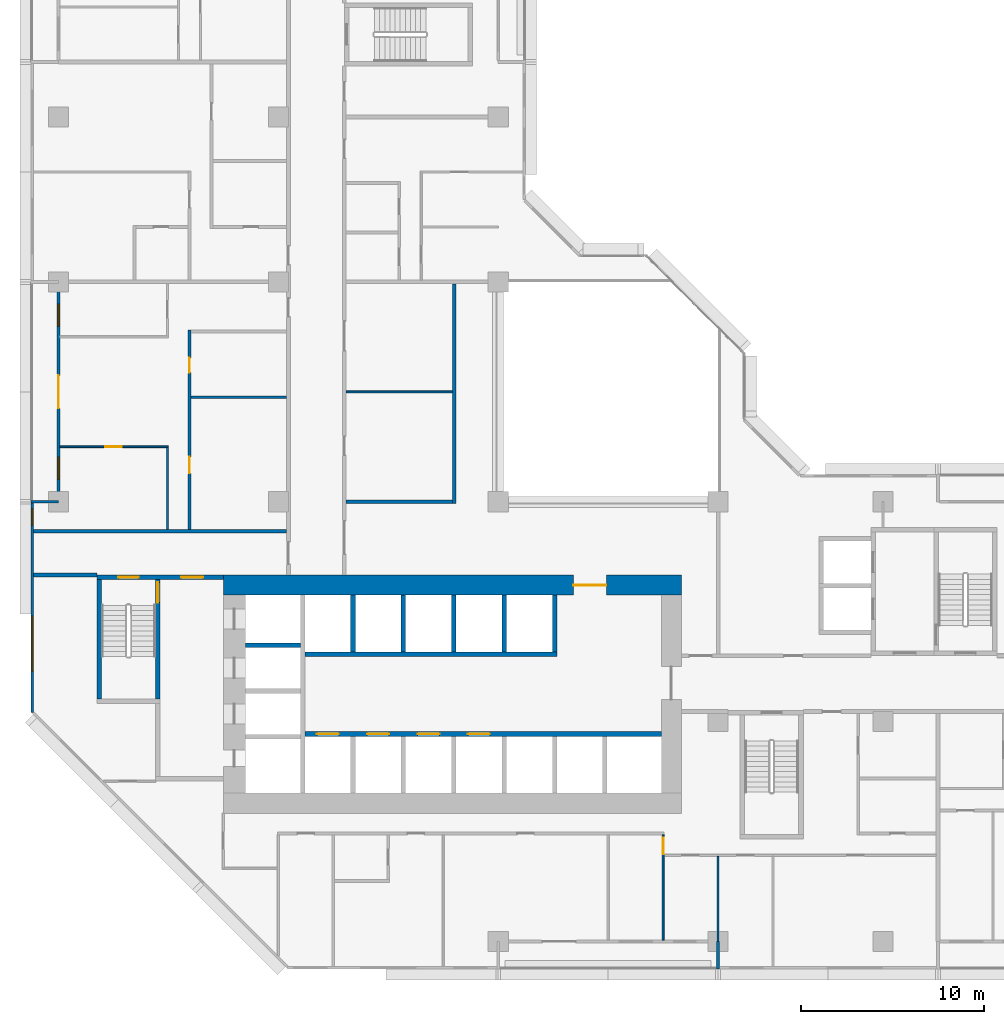
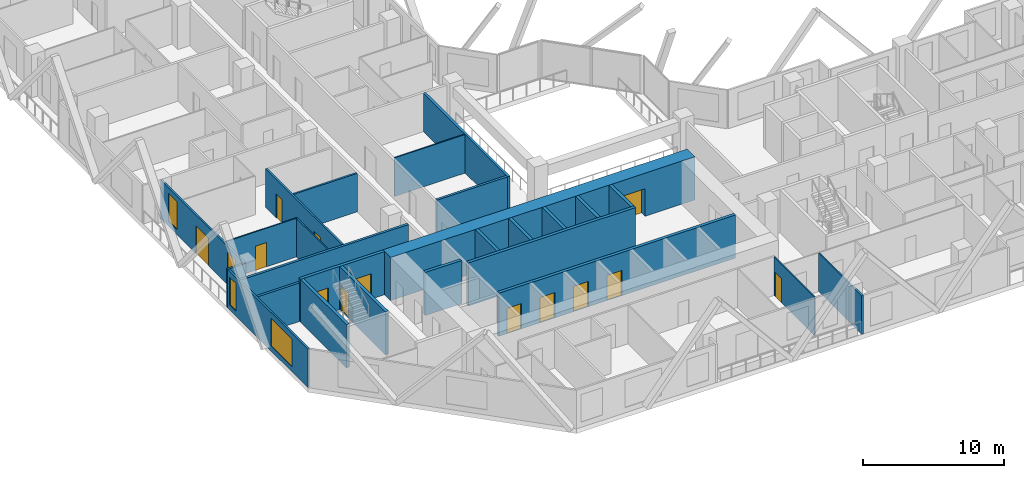
# One storey, part 5 of 16: 27 walls, 13 doors, 4 windows, 17 openings.
"""IFC4 building model written with IfcOpenShell, lengths in metres."""

import ifcopenshell
import ifcopenshell.guid

model = None  # the IFC model being written
_history = None  # IfcOwnerHistory: only IFC2X3 demands one
_inside = {}  # id of a spatial element -> (the spatial element, [elements in it])
_under = {}  # id of a project, library or spatial element -> (it, [spatial elements below it])
_declared = {}  # id of a project -> (the project, [libraries it declares])
_typed = {}  # id of a type object -> (the type object, [elements of that type])
_made_of = {}  # id of a material, layer set ... -> (it, [elements and type objects made of it])


def new_model(schema):
    """Start an empty IFC model of exactly this schema.

    Asked for "IFC4X3", IfcOpenShell would pick the latest addendum, in which some entities
    have other attributes; the version numbers below select the first issue.
    IFC2X3 requires an IfcOwnerHistory on every rooted entity: one is made here for all.
    """
    global model, _history
    if schema == "IFC4X3":
        model = ifcopenshell.file(schema_version=(4, 3, 0, 0))
    else:
        model = ifcopenshell.file(schema=schema)
    _inside.clear()
    _under.clear()
    _declared.clear()
    _typed.clear()
    _made_of.clear()
    _history = None
    if model.schema == "IFC2X3":
        org = make("IfcOrganization", Name="unknown")
        user = make(
            "IfcPersonAndOrganization",
            ThePerson=make("IfcPerson", FamilyName="unknown"),
            TheOrganization=org,
        )
        app = make(
            "IfcApplication",
            ApplicationDeveloper=org,
            Version="unknown",
            ApplicationFullName="unknown",
            ApplicationIdentifier="unknown",
        )
        _history = make(
            "IfcOwnerHistory",
            OwningUser=user,
            OwningApplication=app,
            ChangeAction="ADDED",
            CreationDate=0,
        )
    return model


def make(cls, **values):
    """One entity of the class cls with the attributes given. An attribute that is None is left unset."""
    return model.create_entity(
        cls, **{name: value for name, value in values.items() if value is not None}
    )


def rooted(cls, **values):
    """An entity with a GlobalId (a new one), such as an element, a storey or a relation."""
    return make(cls, GlobalId=ifcopenshell.guid.new(), OwnerHistory=_history, **values)


def si_unit(unit_type, name, prefix=None):
    """IfcSIUnit, for example si_unit("LENGTHUNIT", "METRE", prefix="MILLI")."""
    return make("IfcSIUnit", UnitType=unit_type, Prefix=prefix, Name=name)


def assignment(units):
    """IfcUnitAssignment: the units of a project."""
    return None if units is None else make("IfcUnitAssignment", Units=units)


def point(xyz):
    """IfcCartesianPoint."""
    return None if xyz is None else make("IfcCartesianPoint", Coordinates=xyz)


def direction(xyz):
    """IfcDirection."""
    return None if xyz is None else make("IfcDirection", DirectionRatios=xyz)


def frame(location, z_axis=None, x_axis=None):
    """IfcAxis2Placement3D, a coordinate frame: its origin and axes. An axis left out is left unset."""
    return make(
        "IfcAxis2Placement3D",
        Location=point(location),
        Axis=direction(z_axis),
        RefDirection=direction(x_axis),
    )


def frame_2d(location, x_axis=None):
    """IfcAxis2Placement2D, a coordinate frame in the plane: its origin and x axis."""
    return make(
        "IfcAxis2Placement2D", Location=point(location), RefDirection=direction(x_axis)
    )


def origin():
    """The frame at (0, 0, 0) with its axes left unset."""
    return frame((0.0, 0.0, 0.0))


def place(relative_to, where):
    """IfcLocalPlacement: puts the frame where relative to a parent placement (None: the world)."""
    return make(
        "IfcLocalPlacement", PlacementRelTo=relative_to, RelativePlacement=where
    )


def context(
    kind, dimensions, precision=None, world=None, true_north=None, identifier=None
):
    """IfcGeometricRepresentationContext, for example the 3D "Model" context."""
    return make(
        "IfcGeometricRepresentationContext",
        ContextIdentifier=identifier,
        ContextType=kind,
        CoordinateSpaceDimension=dimensions,
        Precision=precision,
        WorldCoordinateSystem=world,
        TrueNorth=true_north,
    )


def subcontext(parent, identifier, kind, view, scale=None):
    """IfcGeometricRepresentationSubContext, for example "Body" below "Model"."""
    return make(
        "IfcGeometricRepresentationSubContext",
        ContextIdentifier=identifier,
        ContextType=kind,
        ParentContext=parent,
        TargetScale=scale,
        TargetView=view,
    )


def project(units=None, contexts=None):
    """IfcProject with its units and contexts."""
    return rooted(
        "IfcProject",
        Name="project",
        RepresentationContexts=contexts,
        UnitsInContext=assignment(units),
    )


def spatial(cls, under=None, at=None, **own):
    """A site, building, storey or space (cls), placed at a placement, below another one or the project."""
    s = rooted(cls, ObjectPlacement=at, **own)
    if under is not None:
        _under.setdefault(under.id(), (under, []))[1].append(s)
    return s


def profile(cls, at=None, kind="AREA", **sizes):
    """A parametric profile (cls). Its sizes go by their IFC names, for example OverallWidth=200.0."""
    return make(cls, ProfileType=kind, Position=at, **sizes)


def rectangle(**sizes):
    """IfcRectangleProfileDef."""
    return profile("IfcRectangleProfileDef", **sizes)


def extrude(swept, where, along, depth):
    """IfcExtrudedAreaSolid: the profile swept, set in the frame where, extruded along a direction by depth."""
    return make(
        "IfcExtrudedAreaSolid",
        SweptArea=swept,
        Position=where,
        ExtrudedDirection=direction(along),
        Depth=depth,
    )


def shape(context_of_items, identifier, shape_type, items):
    """IfcShapeRepresentation: the items that make up one representation, for example the "Body"."""
    return make(
        "IfcShapeRepresentation",
        ContextOfItems=context_of_items,
        RepresentationIdentifier=identifier,
        RepresentationType=shape_type,
        Items=items,
    )


def material(Name=None, Category=None):
    """IfcMaterial."""
    return make("IfcMaterial", Name=Name, Category=Category)


def layer(
    of_material, thickness, ventilated=None, Name=None, Category=None, Priority=None
):
    """IfcMaterialLayer: one layer of a wall or slab, of a material (None: an air gap)."""
    return make(
        "IfcMaterialLayer",
        Material=of_material,
        LayerThickness=thickness,
        IsVentilated=ventilated,
        Name=Name,
        Category=Category,
        Priority=Priority,
    )


def layer_set(layers, Name=None):
    """IfcMaterialLayerSet."""
    return make("IfcMaterialLayerSet", MaterialLayers=layers, LayerSetName=Name)


def made_of(thing, what):
    """Note that an element or type object is made of a material, layer set ...; save() writes the relation."""
    if what is not None:
        _made_of.setdefault(what.id(), (what, []))[1].append(thing)
    return thing


def type_object(cls, material=None, **own):
    """A type object (cls), such as IfcWallType, which elements share."""
    return made_of(rooted(cls, **own), material)


def element(
    cls,
    number,
    at=None,
    inside=None,
    cuts=None,
    type_object=None,
    material=None,
    context=None,
    identifier="Body",
    shape_type=None,
    held_by="IfcProductDefinitionShape",
    body=None,
    shapes=None,
    **own,
):
    """One element of the class cls, such as IfcWall. Its Tag is "e" and its number.

    at: its placement. inside: the storey or other place that contains it. cuts: it is an
    opening in that element (IfcRelVoidsElement). A single representation is given by context,
    identifier, shape_type and body (its items); several are given by shapes. held_by: the class
    of the entity that holds the representations. save() writes the other relations.
    """
    e = rooted(cls, Tag="e%d" % number, ObjectPlacement=at, **own)
    if body is not None:
        shapes = [shape(context, identifier, shape_type, body)]
    if shapes is not None:
        e.Representation = make(held_by, Representations=shapes)
    if inside is not None:
        _inside.setdefault(inside.id(), (inside, []))[1].append(e)
    if cuts is not None:
        rooted(
            "IfcRelVoidsElement", RelatingBuildingElement=cuts, RelatedOpeningElement=e
        )
    if type_object is not None:
        _typed.setdefault(type_object.id(), (type_object, []))[1].append(e)
    return made_of(e, material)


def fill(opening, filler):
    """IfcRelFillsElement: the door or window that sits in an opening."""
    return rooted(
        "IfcRelFillsElement",
        RelatingOpeningElement=opening,
        RelatedBuildingElement=filler,
    )


def aggregate(whole, parts):
    """IfcRelAggregates: a whole, such as a stair, and the parts it consists of."""
    return rooted("IfcRelAggregates", RelatingObject=whole, RelatedObjects=parts)


def save(model, path):
    """Write the relations noted so far, then the file.

    IfcRelAggregates (storeys below a building ...), IfcRelContainedInSpatialStructure (elements
    in a storey), IfcRelDefinesByType, IfcRelAssociatesMaterial and IfcRelDeclares: one each for
    every whole, place, type object, material and project.
    """
    for whole, parts in _under.values():
        aggregate(whole, parts)
    for where, things in _inside.values():
        rooted(
            "IfcRelContainedInSpatialStructure",
            RelatedElements=things,
            RelatingStructure=where,
        )
    for kind, things in _typed.values():
        rooted("IfcRelDefinesByType", RelatedObjects=things, RelatingType=kind)
    for what, things in _made_of.values():
        rooted("IfcRelAssociatesMaterial", RelatedObjects=things, RelatingMaterial=what)
    for by, libraries in _declared.values():
        rooted("IfcRelDeclares", RelatingContext=by, RelatedDefinitions=libraries)
    model.write(path)


model = new_model("IFC4")

# Units and contexts
model_context = context("Model", 3, precision=1e-05, world=origin(), true_north=direction((0.0, 1.0)))
body_context = subcontext(model_context, "Body", "Model", "MODEL_VIEW")
ifc_project = project(units=[si_unit("LENGTHUNIT", "METRE"), si_unit("AREAUNIT", "SQUARE_METRE"), si_unit("VOLUMEUNIT", "CUBIC_METRE"), si_unit("PLANEANGLEUNIT", "RADIAN"), si_unit("MASSUNIT", "GRAM", prefix="KILO")], contexts=[model_context])

# Site, building, storey
site_placement = place(None, origin())
site = spatial("IfcSite", under=ifc_project, at=site_placement, CompositionType="ELEMENT")
building_placement = place(site_placement, origin())
building = spatial("IfcBuilding", under=site, at=building_placement, Name="Chenar Terraces", CompositionType="ELEMENT")
storey_placement = place(building_placement, frame((0.0, 0.0, 78.89990234375)))
storey = spatial("IfcBuildingStorey", under=building, at=storey_placement, Name="L17", CompositionType="ELEMENT", Elevation=78.89990234375)

# Wall, opening, door
ifc_material_1 = material(Name="Concrete C70/85", Category="concrete")
ifc_layer_1 = layer(ifc_material_1, 1.10009765625)
ifc_layer_set_1 = layer_set([ifc_layer_1], Name="Concrete C70/85")
wall_type_1 = type_object("IfcWallType", Name="Core wall 1100 Concrete C70/85", PredefinedType="SHEAR", material=ifc_layer_set_1)
wall_1_placement = place(storey_placement, frame((9.0, 19.449951171875, 0.0), z_axis=(0.0, 0.0, 1.0), x_axis=(1.0, 0.0, 0.0)))
wall_1 = element("IfcWall", 1, at=wall_1_placement, inside=storey, type_object=wall_type_1, Name="Core wall N L17", PredefinedType="SHEAR", context=body_context, shape_type="SweptSolid", body=[
    extrude(rectangle(XDim=25.0, YDim=1.10009765625, at=frame_2d((12.5, 0.0))), origin(), (0.0, 0.0, 1.0), 3.75),
])
opening_1_placement = place(wall_1_placement, frame((19.10009765625, 0.0, 0.0)))
opening_1 = element("IfcOpeningElement", 2, at=opening_1_placement, cuts=wall_1, Name="Opening DL17-C2", PredefinedType="OPENING", context=body_context, shape_type="SweptSolid", body=[
    extrude(rectangle(XDim=1.800048828125, YDim=2.39990234375, at=frame_2d((0.89990234375, 1.199951171875))), frame((0.0, 0.56005859375, 0.0), z_axis=(0.0, -1.0, 0.0), x_axis=(1.0, 0.0, 0.0)), (0.0, 0.0, 1.0), 1.1201171875),
])
ifc_material_2 = material(Name="Steel-framed fire-resisting door leaf", Category="steel")
door_type_1 = type_object("IfcDoorType", Name="Core entrance double fire door FD60 1800 x 2400", OperationType="DOUBLE_DOOR_SINGLE_SWING", PredefinedType="DOOR", material=ifc_material_2)
door_1_placement = place(opening_1_placement, frame((1.800048828125, 0.0, 0.0), z_axis=(0.0, 0.0, 1.0), x_axis=(-1.0, 0.0, 0.0)))
door_1 = element("IfcDoor", 3, at=door_1_placement, inside=storey, type_object=door_type_1, Name="Core door DL17-C2", OperationType="DOUBLE_DOOR_SINGLE_SWING", OverallHeight=2.39990234375, OverallWidth=1.800048828125, PredefinedType="DOOR", context=body_context, shape_type="SweptSolid", body=[
    extrude(rectangle(XDim=1.800048828125, YDim=2.39990234375, at=frame_2d((0.89990234375, 1.199951171875))), frame((0.0, 0.02490234375, 0.0), z_axis=(0.0, -1.0, 0.0), x_axis=(1.0, 0.0, 0.0)), (0.0, 0.0, 1.0), 0.050048828125),
])
fill(opening_1, door_1)

# Wall, openings, doors
ifc_material_3 = material(Name="Concrete C70/85", Category="concrete")
ifc_layer_2 = layer(ifc_material_3, 0.25)
ifc_layer_set_2 = layer_set([ifc_layer_2], Name="Concrete C70/85")
wall_type_2 = type_object("IfcWallType", Name="Core wall 250 Concrete C70/85", PredefinedType="SHEAR", material=ifc_layer_set_2)
wall_2_placement = place(storey_placement, frame((13.449951171875, 11.324951171875, 0.0), z_axis=(0.0, 0.0, 1.0), x_axis=(1.0, 0.0, 0.0)))
wall_2 = element("IfcWall", 4, at=wall_2_placement, inside=storey, type_object=wall_type_2, Name="Core wall SF L17", PredefinedType="SHEAR", context=body_context, shape_type="SweptSolid", body=[
    extrude(rectangle(XDim=19.449951171875, YDim=0.25, at=frame_2d((9.72509765625, 0.0))), origin(), (0.0, 0.0, 1.0), 3.75),
])
opening_2_placement = place(wall_2_placement, frame((0.64990234375, 0.0, 0.0)))
opening_2 = element("IfcOpeningElement", 5, at=opening_2_placement, cuts=wall_2, Name="Opening DL17-LD1", PredefinedType="OPENING", context=body_context, shape_type="SweptSolid", body=[
    extrude(rectangle(XDim=1.199951171875, YDim=2.199951171875, at=frame_2d((0.60009765625, 1.10009765625))), frame((0.0, 0.135009765625, 0.0), z_axis=(0.0, -1.0, 0.0), x_axis=(1.0, 0.0, 0.0)), (0.0, 0.0, 1.0), 0.27001953125),
])
opening_3_placement = place(wall_2_placement, frame((3.39990234375, 0.0, 0.0)))
opening_3 = element("IfcOpeningElement", 6, at=opening_3_placement, cuts=wall_2, Name="Opening DL17-LD2", PredefinedType="OPENING", context=body_context, shape_type="SweptSolid", body=[
    extrude(rectangle(XDim=1.199951171875, YDim=2.199951171875, at=frame_2d((0.60009765625, 1.10009765625))), frame((0.0, 0.135009765625, 0.0), z_axis=(0.0, -1.0, 0.0), x_axis=(1.0, 0.0, 0.0)), (0.0, 0.0, 1.0), 0.27001953125),
])
opening_4_placement = place(wall_2_placement, frame((6.14990234375, 0.0, 0.0)))
opening_4 = element("IfcOpeningElement", 7, at=opening_4_placement, cuts=wall_2, Name="Opening DL17-LD3", PredefinedType="OPENING", context=body_context, shape_type="SweptSolid", body=[
    extrude(rectangle(XDim=1.199951171875, YDim=2.199951171875, at=frame_2d((0.60009765625, 1.10009765625))), frame((0.0, 0.135009765625, 0.0), z_axis=(0.0, -1.0, 0.0), x_axis=(1.0, 0.0, 0.0)), (0.0, 0.0, 1.0), 0.27001953125),
])
opening_5_placement = place(wall_2_placement, frame((8.89990234375, 0.0, 0.0)))
opening_5 = element("IfcOpeningElement", 8, at=opening_5_placement, cuts=wall_2, Name="Opening DL17-LD4", PredefinedType="OPENING", context=body_context, shape_type="SweptSolid", body=[
    extrude(rectangle(XDim=1.199951171875, YDim=2.199951171875, at=frame_2d((0.60009765625, 1.10009765625))), frame((0.0, 0.135009765625, 0.0), z_axis=(0.0, -1.0, 0.0), x_axis=(1.0, 0.0, 0.0)), (0.0, 0.0, 1.0), 0.27001953125),
])
ifc_material_4 = material(Name="Stainless steel", Category="steel")
door_type_2 = type_object("IfcDoorType", Name="Lift landing door 1200 x 2200 sliding", OperationType="DOUBLE_DOOR_SLIDING", PredefinedType="DOOR", material=ifc_material_4)
door_2_placement = place(opening_2_placement, origin())
door_2 = element("IfcDoor", 9, at=door_2_placement, inside=storey, type_object=door_type_2, Name="Landing door L1", OperationType="DOUBLE_DOOR_SLIDING", OverallHeight=2.199951171875, OverallWidth=1.199951171875, PredefinedType="DOOR", context=body_context, shape_type="SweptSolid", body=[
    extrude(rectangle(XDim=1.199951171875, YDim=2.199951171875, at=frame_2d((0.60009765625, 1.10009765625))), frame((0.0, 0.02490234375, 0.0), z_axis=(0.0, -1.0, 0.0), x_axis=(1.0, 0.0, 0.0)), (0.0, 0.0, 1.0), 0.050048828125),
])
fill(opening_2, door_2)
door_3_placement = place(opening_3_placement, origin())
door_3 = element("IfcDoor", 10, at=door_3_placement, inside=storey, type_object=door_type_2, Name="Landing door L2", OperationType="DOUBLE_DOOR_SLIDING", OverallHeight=2.199951171875, OverallWidth=1.199951171875, PredefinedType="DOOR", context=body_context, shape_type="SweptSolid", body=[
    extrude(rectangle(XDim=1.199951171875, YDim=2.199951171875, at=frame_2d((0.60009765625, 1.10009765625))), frame((0.0, 0.02490234375, 0.0), z_axis=(0.0, -1.0, 0.0), x_axis=(1.0, 0.0, 0.0)), (0.0, 0.0, 1.0), 0.050048828125),
])
fill(opening_3, door_3)
door_4_placement = place(opening_4_placement, origin())
door_4 = element("IfcDoor", 11, at=door_4_placement, inside=storey, type_object=door_type_2, Name="Landing door L3", OperationType="DOUBLE_DOOR_SLIDING", OverallHeight=2.199951171875, OverallWidth=1.199951171875, PredefinedType="DOOR", context=body_context, shape_type="SweptSolid", body=[
    extrude(rectangle(XDim=1.199951171875, YDim=2.199951171875, at=frame_2d((0.60009765625, 1.10009765625))), frame((0.0, 0.02490234375, 0.0), z_axis=(0.0, -1.0, 0.0), x_axis=(1.0, 0.0, 0.0)), (0.0, 0.0, 1.0), 0.050048828125),
])
fill(opening_4, door_4)
door_5_placement = place(opening_5_placement, origin())
door_5 = element("IfcDoor", 12, at=door_5_placement, inside=storey, type_object=door_type_2, Name="Landing door L4", OperationType="DOUBLE_DOOR_SLIDING", OverallHeight=2.199951171875, OverallWidth=1.199951171875, PredefinedType="DOOR", context=body_context, shape_type="SweptSolid", body=[
    extrude(rectangle(XDim=1.199951171875, YDim=2.199951171875, at=frame_2d((0.60009765625, 1.10009765625))), frame((0.0, 0.02490234375, 0.0), z_axis=(0.0, -1.0, 0.0), x_axis=(1.0, 0.0, 0.0)), (0.0, 0.0, 1.0), 0.050048828125),
])
fill(opening_5, door_5)

# Walls
wall_3_placement = place(storey_placement, frame((13.449951171875, 15.675048828125, 0.0), z_axis=(0.0, 0.0, 1.0), x_axis=(1.0, 0.0, 0.0)))
element("IfcWall", 13, at=wall_3_placement, inside=storey, type_object=wall_type_2, Name="Core wall NF L17", PredefinedType="SHEAR", context=body_context, shape_type="SweptSolid", body=[
    extrude(rectangle(XDim=13.75, YDim=0.25, at=frame_2d((6.875, 0.0))), origin(), (0.0, 0.0, 1.0), 3.75),
])
wall_4_placement = place(storey_placement, frame((10.199951171875, 16.175048828125, 0.0), z_axis=(0.0, 0.0, 1.0), x_axis=(1.0, 0.0, 0.0)))
element("IfcWall", 14, at=wall_4_placement, inside=storey, type_object=wall_type_2, Name="Core wall HW2 L17", PredefinedType="SHEAR", context=body_context, shape_type="SweptSolid", body=[
    extrude(rectangle(XDim=3.0, YDim=0.25, at=frame_2d((1.5, 0.0))), origin(), (0.0, 0.0, 1.0), 3.75),
])
for number, where, z_axis, x_axis, name in (
    (15, (16.074951171875, 15.800048828125, 0.0), (0.0, 0.0, 1.0), (0.0, 1.0, 0.0), "Core wall NS0 L17"),
    (16, (18.824951171875, 15.800048828125, 0.0), (0.0, 0.0, 1.0), (0.0, 1.0, 0.0), "Core wall NS1 L17"),
    (17, (21.574951171875, 15.800048828125, 0.0), (0.0, 0.0, 1.0), (0.0, 1.0, 0.0), "Core wall NS2 L17"),
    (18, (24.324951171875, 15.800048828125, 0.0), (0.0, 0.0, 1.0), (0.0, 1.0, 0.0), "Core wall NS3 L17"),
    (19, (27.074951171875, 15.800048828125, 0.0), (0.0, 0.0, 1.0), (0.0, 1.0, 0.0), "Core wall NE L17"),
):
    element("IfcWall", number, at=place(storey_placement, frame(where, z_axis=z_axis, x_axis=x_axis)), inside=storey, type_object=wall_type_2, Name=name, PredefinedType="SHEAR", context=body_context, shape_type="SweptSolid", body=[
        extrude(rectangle(XDim=3.099853515625, YDim=0.25, at=frame_2d((1.5498046875, 0.0))), origin(), (0.0, 0.0, 1.0), 3.75),
    ])

# Wall, openings, doors
wall_5_placement = place(storey_placement, frame((2.10009765625, 19.875, 0.0), z_axis=(0.0, 0.0, 1.0), x_axis=(1.0, 0.0, 0.0)))
wall_5 = element("IfcWall", 20, at=wall_5_placement, inside=storey, type_object=wall_type_2, Name="Core wall A_N L17", PredefinedType="SHEAR", context=body_context, shape_type="SweptSolid", body=[
    extrude(rectangle(XDim=6.89990234375, YDim=0.25, at=frame_2d((3.449951171875, 0.0))), origin(), (0.0, 0.0, 1.0), 3.75),
])
opening_6_placement = place(wall_5_placement, frame((1.175048828125, 0.0, 0.0)))
opening_6 = element("IfcOpeningElement", 21, at=opening_6_placement, cuts=wall_5, Name="Opening DL17-C5", PredefinedType="OPENING", context=body_context, shape_type="SweptSolid", body=[
    extrude(rectangle(XDim=1.10009765625, YDim=2.199951171875, at=frame_2d((0.550048828125, 1.10009765625))), frame((0.0, 0.135009765625, 0.0), z_axis=(0.0, -1.0, 0.0), x_axis=(1.0, 0.0, 0.0)), (0.0, 0.0, 1.0), 0.27001953125),
])
opening_7_placement = place(wall_5_placement, frame((4.60009765625, 0.0, 0.0)))
opening_7 = element("IfcOpeningElement", 22, at=opening_7_placement, cuts=wall_5, Name="Opening DL17-C6", PredefinedType="OPENING", context=body_context, shape_type="SweptSolid", body=[
    extrude(rectangle(XDim=1.199951171875, YDim=2.199951171875, at=frame_2d((0.60009765625, 1.10009765625))), frame((0.0, 0.135009765625, 0.0), z_axis=(0.0, -1.0, 0.0), x_axis=(1.0, 0.0, 0.0)), (0.0, 0.0, 1.0), 0.27001953125),
])
ifc_material_5 = material(Name="Steel-framed fire-resisting door leaf", Category="steel")
door_type_3 = type_object("IfcDoorType", Name="Lobby fire door FD60 1200 x 2200", OperationType="SINGLE_SWING_LEFT", PredefinedType="DOOR", material=ifc_material_5)
door_6_placement = place(opening_7_placement, frame((1.199951171875, 0.0, 0.0), z_axis=(0.0, 0.0, 1.0), x_axis=(-1.0, 0.0, 0.0)))
door_6 = element("IfcDoor", 23, at=door_6_placement, inside=storey, type_object=door_type_3, Name="Core door DL17-C6", OperationType="SINGLE_SWING_LEFT", OverallHeight=2.199951171875, OverallWidth=1.199951171875, PredefinedType="DOOR", context=body_context, shape_type="SweptSolid", body=[
    extrude(rectangle(XDim=1.199951171875, YDim=2.199951171875, at=frame_2d((0.60009765625, 1.10009765625))), frame((0.0, 0.02490234375, 0.0), z_axis=(0.0, -1.0, 0.0), x_axis=(1.0, 0.0, 0.0)), (0.0, 0.0, 1.0), 0.050048828125),
])
fill(opening_7, door_6)
ifc_material_6 = material(Name="Steel-framed fire-resisting door leaf", Category="steel")
door_type_4 = type_object("IfcDoorType", Name="Stair fire door FD60 1100 x 2200", OperationType="SINGLE_SWING_LEFT", PredefinedType="DOOR", material=ifc_material_6)
door_7_placement = place(opening_6_placement, origin())
door_7 = element("IfcDoor", 24, at=door_7_placement, inside=storey, type_object=door_type_4, Name="Stair door DL17-C5", OperationType="SINGLE_SWING_LEFT", OverallHeight=2.199951171875, OverallWidth=1.10009765625, PredefinedType="DOOR", context=body_context, shape_type="SweptSolid", body=[
    extrude(rectangle(XDim=1.10009765625, YDim=2.199951171875, at=frame_2d((0.550048828125, 1.10009765625))), frame((0.0, 0.02490234375, 0.0), z_axis=(0.0, -1.0, 0.0), x_axis=(1.0, 0.0, 0.0)), (0.0, 0.0, 1.0), 0.050048828125),
])
fill(opening_6, door_7)

# Wall
wall_6_placement = place(storey_placement, frame((2.22509765625, 13.25, 0.0), z_axis=(0.0, 0.0, 1.0), x_axis=(0.0, 1.0, 0.0)))
element("IfcWall", 25, at=wall_6_placement, inside=storey, type_object=wall_type_2, Name="Core wall ST1_W L17", PredefinedType="SHEAR", context=body_context, shape_type="SweptSolid", body=[
    extrude(rectangle(XDim=6.5, YDim=0.25, at=frame_2d((3.25, 0.0))), origin(), (0.0, 0.0, 1.0), 3.75),
])

# Wall, opening, door
wall_7_placement = place(storey_placement, frame((5.425048828125, 13.25, 0.0), z_axis=(0.0, 0.0, 1.0), x_axis=(0.0, 1.0, 0.0)))
wall_7 = element("IfcWall", 26, at=wall_7_placement, inside=storey, type_object=wall_type_2, Name="Core wall ST1_E L17", PredefinedType="SHEAR", context=body_context, shape_type="SweptSolid", body=[
    extrude(rectangle(XDim=6.5, YDim=0.25, at=frame_2d((3.25, 0.0))), origin(), (0.0, 0.0, 1.0), 3.75),
])
opening_8_placement = place(wall_7_placement, frame((5.25, 0.0, 0.0)))
opening_8 = element("IfcOpeningElement", 27, at=opening_8_placement, cuts=wall_7, Name="Opening DL17-C3", PredefinedType="OPENING", context=body_context, shape_type="SweptSolid", body=[
    extrude(rectangle(XDim=1.10009765625, YDim=2.199951171875, at=frame_2d((0.550048828125, 1.10009765625))), frame((0.0, 0.135009765625, 0.0), z_axis=(0.0, -1.0, 0.0), x_axis=(1.0, 0.0, 0.0)), (0.0, 0.0, 1.0), 0.27001953125),
])
door_8_placement = place(opening_8_placement, origin())
door_8 = element("IfcDoor", 28, at=door_8_placement, inside=storey, type_object=door_type_4, Name="Stair door DL17-C3", OperationType="SINGLE_SWING_RIGHT", OverallHeight=2.199951171875, OverallWidth=1.10009765625, PredefinedType="DOOR", context=body_context, shape_type="SweptSolid", body=[
    extrude(rectangle(XDim=1.10009765625, YDim=2.199951171875, at=frame_2d((0.550048828125, 1.10009765625))), frame((0.0, 0.02490234375, 0.0), z_axis=(0.0, -1.0, 0.0), x_axis=(1.0, 0.0, 0.0)), (0.0, 0.0, 1.0), 0.050048828125),
])
fill(opening_8, door_8)

# Walls
ifc_material_7 = material(Name="Gypsum board on steel studs with fire boards", Category="steel")
ifc_layer_3 = layer(ifc_material_7, 0.199951171875)
ifc_layer_set_3 = layer_set([ifc_layer_3], Name="Gypsum board on steel studs with fire boards")
wall_type_3 = type_object("IfcWallType", Name="Corridor wall 200", PredefinedType="PARTITIONING", material=ifc_layer_set_3)
wall_8_placement = place(storey_placement, frame((-1.35009765625, 20.0, 0.0), z_axis=(0.0, 0.0, 1.0), x_axis=(1.0, 0.0, 0.0)))
element("IfcWall", 29, at=wall_8_placement, inside=storey, type_object=wall_type_3, Name="Partition L17-001", PredefinedType="PARTITIONING", context=body_context, shape_type="SweptSolid", body=[
    extrude(rectangle(XDim=3.4501953125, YDim=0.199951171875, at=frame_2d((1.72509765625, 0.0))), origin(), (0.0, 0.0, 1.0), 3.35009765625),
])
wall_9_placement = place(storey_placement, frame((-1.35009765625, 22.39990234375, 0.0), z_axis=(0.0, 0.0, 1.0), x_axis=(1.0, 0.0, 0.0)))
element("IfcWall", 30, at=wall_9_placement, inside=storey, type_object=wall_type_3, Name="Partition L17-002", PredefinedType="PARTITIONING", context=body_context, shape_type="SweptSolid", body=[
    extrude(rectangle(XDim=13.800048828125, YDim=0.199951171875, at=frame_2d((6.89990234375, 0.0))), origin(), (0.0, 0.0, 1.0), 3.35009765625),
])
wall_10_placement = place(storey_placement, frame((15.699951171875, 24.0, 0.0), z_axis=(0.0, 0.0, 1.0), x_axis=(1.0, 0.0, 0.0)))
element("IfcWall", 31, at=wall_10_placement, inside=storey, type_object=wall_type_3, Name="Partition L17-039", PredefinedType="PARTITIONING", context=body_context, shape_type="SweptSolid", body=[
    extrude(rectangle(XDim=5.800048828125, YDim=0.199951171875, at=frame_2d((2.89990234375, 0.0))), origin(), (0.0, 0.0, 1.0), 3.35009765625),
])
wall_11_placement = place(storey_placement, frame((21.60009765625, 23.89990234375, 0.0), z_axis=(0.0, 0.0, 1.0), x_axis=(0.0, 1.0, 0.0)))
element("IfcWall", 32, at=wall_11_placement, inside=storey, type_object=wall_type_3, Name="Partition L17-058", PredefinedType="PARTITIONING", context=body_context, shape_type="SweptSolid", body=[
    extrude(rectangle(XDim=12.0, YDim=0.199951171875, at=frame_2d((6.0, 0.0))), origin(), (0.0, 0.0, 1.0), 3.35009765625),
])

# Wall, openings, windows
ifc_material_8 = material(Name="Aluminium framed glazing", Category="aluminium")
ifc_layer_4 = layer(ifc_material_8, 0.14990234375)
ifc_layer_set_4 = layer_set([ifc_layer_4], Name="Aluminium framed glazing")
wall_type_4 = type_object("IfcWallType", Name="Glazed flush facade wall 150", PredefinedType="SOLIDWALL", material=ifc_layer_set_4)
wall_12_placement = place(storey_placement, frame((-1.425048828125, 23.925048828125, 0.0), z_axis=(0.0, 0.0, 1.0), x_axis=(0.0, -1.0, 0.0)))
wall_12 = element("IfcWall", 33, at=wall_12_placement, inside=storey, type_object=wall_type_4, Name="Glazed flush facade wall", PredefinedType="SOLIDWALL", context=body_context, shape_type="SweptSolid", body=[
    extrude(rectangle(XDim=11.425048828125, YDim=0.14990234375, at=frame_2d((5.71240234375, 0.0))), origin(), (0.0, 0.0, 1.0), 3.35009765625),
])
opening_9_placement = place(wall_12_placement, frame((0.3125, 0.0, 0.449951171875)))
opening_9 = element("IfcOpeningElement", 34, at=opening_9_placement, cuts=wall_12, Name="Opening W90x240", PredefinedType="OPENING", context=body_context, shape_type="SweptSolid", body=[
    extrude(rectangle(XDim=0.89990234375, YDim=2.39990234375, at=frame_2d((0.449951171875, 1.199951171875))), frame((0.0, 0.0849609375, 0.0), z_axis=(0.0, -1.0, 0.0), x_axis=(1.0, 0.0, 0.0)), (0.0, 0.0, 1.0), 0.169921875),
])
opening_10_placement = place(wall_12_placement, frame((6.175048828125, 0.0, 0.449951171875)))
opening_10 = element("IfcOpeningElement", 35, at=opening_10_placement, cuts=wall_12, Name="Opening W300x240", PredefinedType="OPENING", context=body_context, shape_type="SweptSolid", body=[
    extrude(rectangle(XDim=3.0, YDim=2.39990234375, at=frame_2d((1.5, 1.199951171875))), frame((0.0, 0.0849609375, 0.0), z_axis=(0.0, -1.0, 0.0), x_axis=(1.0, 0.0, 0.0)), (0.0, 0.0, 1.0), 0.169921875),
])
ifc_material_9 = material(Name="Low emissivity double glazing, aluminium frame", Category="aluminium")
window_type_1 = type_object("IfcWindowType", Name="Fixed light 3000 x 2400", PartitioningType="SINGLE_PANEL", PredefinedType="WINDOW", material=ifc_material_9)
window_1_placement = place(opening_10_placement, origin())
window_1 = element("IfcWindow", 36, at=window_1_placement, inside=storey, type_object=window_type_1, Name="Window", OverallHeight=2.39990234375, OverallWidth=3.0, PartitioningType="SINGLE_PANEL", PredefinedType="WINDOW", context=body_context, shape_type="SweptSolid", body=[
    extrude(rectangle(XDim=3.0, YDim=2.39990234375, at=frame_2d((1.5, 1.199951171875))), frame((0.0, 0.030029296875, 0.0), z_axis=(0.0, -1.0, 0.0), x_axis=(1.0, 0.0, 0.0)), (0.0, 0.0, 1.0), 0.06005859375),
])
fill(opening_10, window_1)
ifc_material_10 = material(Name="Low emissivity double glazing, aluminium frame", Category="aluminium")
window_type_2 = type_object("IfcWindowType", Name="Fixed light 900 x 2400", PartitioningType="SINGLE_PANEL", PredefinedType="WINDOW", material=ifc_material_10)
window_2_placement = place(opening_9_placement, origin())
window_2 = element("IfcWindow", 37, at=window_2_placement, inside=storey, type_object=window_type_2, Name="Window", OverallHeight=2.39990234375, OverallWidth=0.89990234375, PartitioningType="SINGLE_PANEL", PredefinedType="WINDOW", context=body_context, shape_type="SweptSolid", body=[
    extrude(rectangle(XDim=0.89990234375, YDim=2.39990234375, at=frame_2d((0.449951171875, 1.199951171875))), frame((0.0, 0.030029296875, 0.0), z_axis=(0.0, -1.0, 0.0), x_axis=(1.0, 0.0, 0.0)), (0.0, 0.0, 1.0), 0.06005859375),
])
fill(opening_9, window_2)

# Wall, openings, windows, door
ifc_material_11 = material(Name="Aluminium framed glazing", Category="aluminium")
ifc_layer_5 = layer(ifc_material_11, 0.14990234375)
ifc_layer_set_5 = layer_set([ifc_layer_5], Name="Aluminium framed glazing")
wall_type_5 = type_object("IfcWallType", Name="Glazed loggia back wall 150", PredefinedType="SOLIDWALL", material=ifc_layer_set_5)
wall_13_placement = place(storey_placement, frame((0.0, 35.925048828125, 0.0), z_axis=(0.0, 0.0, 1.0), x_axis=(0.0, -1.0, 0.0)))
wall_13 = element("IfcWall", 38, at=wall_13_placement, inside=storey, type_object=wall_type_5, Name="Glazed loggia back wall", PredefinedType="SOLIDWALL", context=body_context, shape_type="SweptSolid", body=[
    extrude(rectangle(XDim=11.85009765625, YDim=0.14990234375, at=frame_2d((5.925048828125, 0.0))), origin(), (0.0, 0.0, 1.0), 3.35009765625),
])
opening_11_placement = place(wall_13_placement, frame((1.14990234375, 0.0, 0.449951171875)))
opening_11 = element("IfcOpeningElement", 39, at=opening_11_placement, cuts=wall_13, Name="Opening W120x240", PredefinedType="OPENING", context=body_context, shape_type="SweptSolid", body=[
    extrude(rectangle(XDim=1.199951171875, YDim=2.39990234375, at=frame_2d((0.60009765625, 1.199951171875))), frame((0.0, 0.0849609375, 0.0), z_axis=(0.0, -1.0, 0.0), x_axis=(1.0, 0.0, 0.0)), (0.0, 0.0, 1.0), 0.169921875),
])
opening_12_placement = place(wall_13_placement, frame((5.02490234375, 0.0, 0.0)))
opening_12 = element("IfcOpeningElement", 40, at=opening_12_placement, cuts=wall_13, Name="Opening DL17-G4", PredefinedType="OPENING", context=body_context, shape_type="SweptSolid", body=[
    extrude(rectangle(XDim=1.800048828125, YDim=2.39990234375, at=frame_2d((0.89990234375, 1.199951171875))), frame((0.0, 0.0849609375, 0.0), z_axis=(0.0, -1.0, 0.0), x_axis=(1.0, 0.0, 0.0)), (0.0, 0.0, 1.0), 0.169921875),
])
opening_13_placement = place(wall_13_placement, frame((9.5, 0.0, 0.449951171875)))
opening_13 = element("IfcOpeningElement", 41, at=opening_13_placement, cuts=wall_13, Name="Opening W120x240", PredefinedType="OPENING", context=body_context, shape_type="SweptSolid", body=[
    extrude(rectangle(XDim=1.199951171875, YDim=2.39990234375, at=frame_2d((0.60009765625, 1.199951171875))), frame((0.0, 0.0849609375, 0.0), z_axis=(0.0, -1.0, 0.0), x_axis=(1.0, 0.0, 0.0)), (0.0, 0.0, 1.0), 0.169921875),
])
ifc_material_12 = material(Name="Low emissivity double glazing, aluminium frame", Category="aluminium")
window_type_3 = type_object("IfcWindowType", Name="Fixed light 1200 x 2400", PartitioningType="SINGLE_PANEL", PredefinedType="WINDOW", material=ifc_material_12)
window_3_placement = place(opening_11_placement, origin())
window_3 = element("IfcWindow", 42, at=window_3_placement, inside=storey, type_object=window_type_3, Name="Window", OverallHeight=2.39990234375, OverallWidth=1.199951171875, PartitioningType="SINGLE_PANEL", PredefinedType="WINDOW", context=body_context, shape_type="SweptSolid", body=[
    extrude(rectangle(XDim=1.199951171875, YDim=2.39990234375, at=frame_2d((0.60009765625, 1.199951171875))), frame((0.0, 0.030029296875, 0.0), z_axis=(0.0, -1.0, 0.0), x_axis=(1.0, 0.0, 0.0)), (0.0, 0.0, 1.0), 0.06005859375),
])
fill(opening_11, window_3)
window_4_placement = place(opening_13_placement, origin())
window_4 = element("IfcWindow", 43, at=window_4_placement, inside=storey, type_object=window_type_3, Name="Window", OverallHeight=2.39990234375, OverallWidth=1.199951171875, PartitioningType="SINGLE_PANEL", PredefinedType="WINDOW", context=body_context, shape_type="SweptSolid", body=[
    extrude(rectangle(XDim=1.199951171875, YDim=2.39990234375, at=frame_2d((0.60009765625, 1.199951171875))), frame((0.0, 0.030029296875, 0.0), z_axis=(0.0, -1.0, 0.0), x_axis=(1.0, 0.0, 0.0)), (0.0, 0.0, 1.0), 0.06005859375),
])
fill(opening_13, window_4)
ifc_material_13 = material(Name="Low emissivity double glazing, aluminium frame", Category="aluminium")
door_type_5 = type_object("IfcDoorType", Name="Loggia glazed double door 1800 x 2400", OperationType="DOUBLE_DOOR_SINGLE_SWING", PredefinedType="DOOR", material=ifc_material_13)
door_9_placement = place(opening_12_placement, frame((1.800048828125, 0.0, 0.0), z_axis=(0.0, 0.0, 1.0), x_axis=(-1.0, 0.0, 0.0)))
door_9 = element("IfcDoor", 44, at=door_9_placement, inside=storey, type_object=door_type_5, Name="Loggia glazed door", OperationType="DOUBLE_DOOR_SINGLE_SWING", OverallHeight=2.39990234375, OverallWidth=1.800048828125, PredefinedType="DOOR", context=body_context, shape_type="SweptSolid", body=[
    extrude(rectangle(XDim=1.800048828125, YDim=2.39990234375, at=frame_2d((0.89990234375, 1.199951171875))), frame((0.0, 0.02490234375, 0.0), z_axis=(0.0, -1.0, 0.0), x_axis=(1.0, 0.0, 0.0)), (0.0, 0.0, 1.0), 0.050048828125),
])
fill(opening_12, door_9)

# Wall, opening, door
ifc_material_14 = material(Name="Gypsum board on steel studs", Category="steel")
ifc_layer_6 = layer(ifc_material_14, 0.10009765625)
ifc_layer_set_6 = layer_set([ifc_layer_6], Name="Gypsum board on steel studs")
wall_type_6 = type_object("IfcWallType", Name="Gypsum partition 100", PredefinedType="PARTITIONING", material=ifc_layer_set_6)
wall_14_placement = place(storey_placement, frame((0.073974609375, 27.0, 0.0), z_axis=(0.0, 0.0, 1.0), x_axis=(1.0, 0.0, 0.0)))
wall_14 = element("IfcWall", 45, at=wall_14_placement, inside=storey, type_object=wall_type_6, Name="Partition L17-006", PredefinedType="PARTITIONING", context=body_context, shape_type="SweptSolid", body=[
    extrude(rectangle(XDim=5.926025390625, YDim=0.10009765625, at=frame_2d((2.962890625, 0.0))), origin(), (0.0, 0.0, 1.0), 3.35009765625),
])
opening_14_placement = place(wall_14_placement, frame((2.47607421875, 0.0, 0.0)))
opening_14 = element("IfcOpeningElement", 46, at=opening_14_placement, cuts=wall_14, Name="Opening DL17-71", PredefinedType="OPENING", context=body_context, shape_type="SweptSolid", body=[
    extrude(rectangle(XDim=0.89990234375, YDim=2.10009765625, at=frame_2d((0.449951171875, 1.050048828125))), frame((0.0, 0.06005859375, 0.0), z_axis=(0.0, -1.0, 0.0), x_axis=(1.0, 0.0, 0.0)), (0.0, 0.0, 1.0), 0.1201171875),
])
ifc_material_15 = material(Name="Veneered timber door leaf", Category="wood")
door_type_6 = type_object("IfcDoorType", Name="Door 900 x 2100", OperationType="SINGLE_SWING_LEFT", PredefinedType="DOOR", material=ifc_material_15)
door_10_placement = place(opening_14_placement, frame((0.89990234375, 0.0, 0.0), z_axis=(0.0, 0.0, 1.0), x_axis=(-1.0, 0.0, 0.0)))
door_10 = element("IfcDoor", 47, at=door_10_placement, inside=storey, type_object=door_type_6, Name="Door DL17-71", OperationType="SINGLE_SWING_RIGHT", OverallHeight=2.10009765625, OverallWidth=0.89990234375, PredefinedType="DOOR", context=body_context, shape_type="SweptSolid", body=[
    extrude(rectangle(XDim=0.89990234375, YDim=2.10009765625, at=frame_2d((0.449951171875, 1.050048828125))), frame((0.0, 0.02490234375, 0.0), z_axis=(0.0, -1.0, 0.0), x_axis=(1.0, 0.0, 0.0)), (0.0, 0.0, 1.0), 0.050048828125),
])
fill(opening_14, door_10)

# Walls
wall_15_placement = place(storey_placement, frame((5.949951171875, 22.5, 0.0), z_axis=(0.0, 0.0, 1.0), x_axis=(0.0, 1.0, 0.0)))
element("IfcWall", 48, at=wall_15_placement, inside=storey, type_object=wall_type_6, Name="Partition L17-014", PredefinedType="PARTITIONING", context=body_context, shape_type="SweptSolid", body=[
    extrude(rectangle(XDim=4.449951171875, YDim=0.10009765625, at=frame_2d((2.22509765625, 0.0))), origin(), (0.0, 0.0, 1.0), 3.35009765625),
])
wall_16_placement = place(storey_placement, frame((15.699951171875, 30.0, 0.0), z_axis=(0.0, 0.0, 1.0), x_axis=(1.0, 0.0, 0.0)))
element("IfcWall", 49, at=wall_16_placement, inside=storey, type_object=wall_type_6, Name="Partition L17-040", PredefinedType="PARTITIONING", context=body_context, shape_type="SweptSolid", body=[
    extrude(rectangle(XDim=5.800048828125, YDim=0.10009765625, at=frame_2d((2.89990234375, 0.0))), origin(), (0.0, 0.0, 1.0), 3.35009765625),
])

# Wall, opening, door
wall_17_placement = place(storey_placement, frame((33.0, 0.073974609375, 0.0), z_axis=(0.0, 0.0, 1.0), x_axis=(0.0, 1.0, 0.0)))
wall_17 = element("IfcWall", 50, at=wall_17_placement, inside=storey, type_object=wall_type_6, Name="Partition L17-060", PredefinedType="PARTITIONING", context=body_context, shape_type="SweptSolid", body=[
    extrude(rectangle(XDim=5.7509765625, YDim=0.10009765625, at=frame_2d((2.87548828125, 0.0))), origin(), (0.0, 0.0, 1.0), 3.35009765625),
])
opening_15_placement = place(wall_17_placement, frame((4.700927734375, 0.0, 0.0)))
opening_15 = element("IfcOpeningElement", 51, at=opening_15_placement, cuts=wall_17, Name="Opening DL17-59", PredefinedType="OPENING", context=body_context, shape_type="SweptSolid", body=[
    extrude(rectangle(XDim=0.89990234375, YDim=2.10009765625, at=frame_2d((0.449951171875, 1.050048828125))), frame((0.0, 0.06005859375, 0.0), z_axis=(0.0, -1.0, 0.0), x_axis=(1.0, 0.0, 0.0)), (0.0, 0.0, 1.0), 0.1201171875),
])
door_11_placement = place(opening_15_placement, origin())
door_11 = element("IfcDoor", 52, at=door_11_placement, inside=storey, type_object=door_type_6, Name="Door DL17-59", OperationType="SINGLE_SWING_RIGHT", OverallHeight=2.10009765625, OverallWidth=0.89990234375, PredefinedType="DOOR", context=body_context, shape_type="SweptSolid", body=[
    extrude(rectangle(XDim=0.89990234375, YDim=2.10009765625, at=frame_2d((0.449951171875, 1.050048828125))), frame((0.0, 0.02490234375, 0.0), z_axis=(0.0, -1.0, 0.0), x_axis=(1.0, 0.0, 0.0)), (0.0, 0.0, 1.0), 0.050048828125),
])
fill(opening_15, door_11)

# Walls
wall_18_placement = place(storey_placement, frame((36.0, 0.0, 0.0), z_axis=(0.0, 0.0, 1.0), x_axis=(0.0, 1.0, 0.0)))
element("IfcWall", 53, at=wall_18_placement, inside=storey, type_object=wall_type_6, Name="Partition L17-064", PredefinedType="PARTITIONING", context=body_context, shape_type="SweptSolid", body=[
    extrude(rectangle(XDim=4.64990234375, YDim=0.10009765625, at=frame_2d((2.324951171875, 0.0))), origin(), (0.0, 0.0, 1.0), 3.35009765625),
])
ifc_material_16 = material(Name="Terracotta cladding on insulated backing", Category="masonry")
ifc_layer_7 = layer(ifc_material_16, 0.14990234375)
ifc_layer_set_7 = layer_set([ifc_layer_7], Name="Terracotta cladding on insulated backing")
wall_type_7 = type_object("IfcWallType", Name="Loggia return wall 150", PredefinedType="SOLIDWALL", material=ifc_layer_set_7)
for number, where, z_axis, x_axis, name in (
    (54, (-1.5, 24.0, 0.0), (0.0, 0.0, 1.0), (1.0, 0.0, 0.0), "Loggia return wall"),
    (55, (36.0, -1.5, 0.0), (0.0, 0.0, 1.0), (0.0, 1.0, 0.0), "Loggia return wall"),
):
    element("IfcWall", number, at=place(storey_placement, frame(where, z_axis=z_axis, x_axis=x_axis)), inside=storey, type_object=wall_type_7, Name=name, PredefinedType="SOLIDWALL", context=body_context, shape_type="SweptSolid", body=[
        extrude(rectangle(XDim=1.5, YDim=0.14990234375, at=frame_2d((0.75, 0.0))), origin(), (0.0, 0.0, 1.0), 3.35009765625),
    ])

# Wall, openings, doors
ifc_material_17 = material(Name="Moisture-resistant gypsum board on steel studs", Category="steel")
ifc_layer_8 = layer(ifc_material_17, 0.14990234375)
ifc_layer_set_8 = layer_set([ifc_layer_8], Name="Moisture-resistant gypsum board on steel studs")
wall_type_8 = type_object("IfcWallType", Name="Wet-room partition 150", PredefinedType="PARTITIONING", material=ifc_layer_set_8)
wall_19_placement = place(storey_placement, frame((7.14990234375, 22.5, 0.0), z_axis=(0.0, 0.0, 1.0), x_axis=(0.0, 1.0, 0.0)))
wall_19 = element("IfcWall", 56, at=wall_19_placement, inside=storey, type_object=wall_type_8, Name="Partition L17-018", PredefinedType="PARTITIONING", context=body_context, shape_type="SweptSolid", body=[
    extrude(rectangle(XDim=10.875, YDim=0.14990234375, at=frame_2d((5.4375, 0.0))), origin(), (0.0, 0.0, 1.0), 3.35009765625),
])
opening_16_placement = place(wall_19_placement, frame((8.550048828125, 0.0, 0.0)))
opening_16 = element("IfcOpeningElement", 57, at=opening_16_placement, cuts=wall_19, Name="Opening DL17-70", PredefinedType="OPENING", context=body_context, shape_type="SweptSolid", body=[
    extrude(rectangle(XDim=0.800048828125, YDim=2.10009765625, at=frame_2d((0.39990234375, 1.050048828125))), frame((0.0, 0.0849609375, 0.0), z_axis=(0.0, -1.0, 0.0), x_axis=(1.0, 0.0, 0.0)), (0.0, 0.0, 1.0), 0.169921875),
])
opening_17_placement = place(wall_19_placement, frame((3.050048828125, 0.0, 0.0)))
opening_17 = element("IfcOpeningElement", 58, at=opening_17_placement, cuts=wall_19, Name="Opening DL17-73", PredefinedType="OPENING", context=body_context, shape_type="SweptSolid", body=[
    extrude(rectangle(XDim=0.89990234375, YDim=2.10009765625, at=frame_2d((0.449951171875, 1.050048828125))), frame((0.0, 0.0849609375, 0.0), z_axis=(0.0, -1.0, 0.0), x_axis=(1.0, 0.0, 0.0)), (0.0, 0.0, 1.0), 0.169921875),
])
ifc_material_18 = material(Name="Veneered timber door leaf", Category="wood")
door_type_7 = type_object("IfcDoorType", Name="Door 800 x 2100", OperationType="SINGLE_SWING_LEFT", PredefinedType="DOOR", material=ifc_material_18)
door_12_placement = place(opening_16_placement, frame((0.800048828125, 0.0, 0.0), z_axis=(0.0, 0.0, 1.0), x_axis=(-1.0, 0.0, 0.0)))
door_12 = element("IfcDoor", 59, at=door_12_placement, inside=storey, type_object=door_type_7, Name="Door DL17-70", OperationType="SINGLE_SWING_RIGHT", OverallHeight=2.10009765625, OverallWidth=0.800048828125, PredefinedType="DOOR", context=body_context, shape_type="SweptSolid", body=[
    extrude(rectangle(XDim=0.800048828125, YDim=2.10009765625, at=frame_2d((0.39990234375, 1.050048828125))), frame((0.0, 0.02490234375, 0.0), z_axis=(0.0, -1.0, 0.0), x_axis=(1.0, 0.0, 0.0)), (0.0, 0.0, 1.0), 0.050048828125),
])
fill(opening_16, door_12)
door_13_placement = place(opening_17_placement, frame((0.89990234375, 0.0, 0.0), z_axis=(0.0, 0.0, 1.0), x_axis=(-1.0, 0.0, 0.0)))
door_13 = element("IfcDoor", 60, at=door_13_placement, inside=storey, type_object=door_type_6, Name="Door DL17-73", OperationType="SINGLE_SWING_LEFT", OverallHeight=2.10009765625, OverallWidth=0.89990234375, PredefinedType="DOOR", context=body_context, shape_type="SweptSolid", body=[
    extrude(rectangle(XDim=0.89990234375, YDim=2.10009765625, at=frame_2d((0.449951171875, 1.050048828125))), frame((0.0, 0.02490234375, 0.0), z_axis=(0.0, -1.0, 0.0), x_axis=(1.0, 0.0, 0.0)), (0.0, 0.0, 1.0), 0.050048828125),
])
fill(opening_17, door_13)

# Wall
wall_20_placement = place(storey_placement, frame((7.22509765625, 29.699951171875, 0.0), z_axis=(0.0, 0.0, 1.0), x_axis=(1.0, 0.0, 0.0)))
element("IfcWall", 61, at=wall_20_placement, inside=storey, type_object=wall_type_8, Name="Partition L17-020", PredefinedType="PARTITIONING", context=body_context, shape_type="SweptSolid", body=[
    extrude(rectangle(XDim=5.224853515625, YDim=0.14990234375, at=frame_2d((2.6123046875, 0.0))), origin(), (0.0, 0.0, 1.0), 3.35009765625),
])

save(model, "model.ifc")
